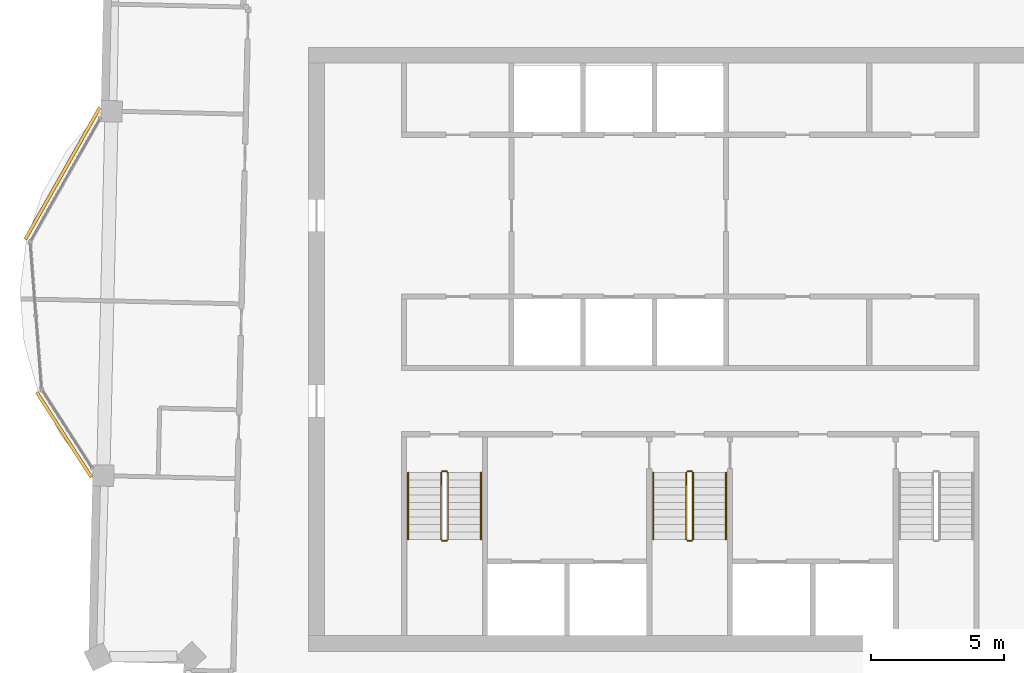
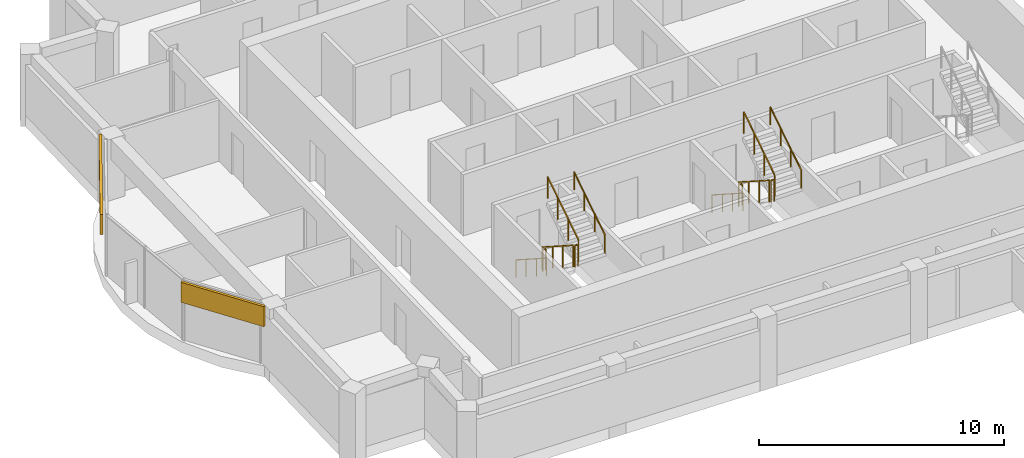
# One storey, part 11 of 12: 12 railings, 2 coverings.
"""IFC4 building model written with IfcOpenShell, lengths in metres."""

from ifc_helpers import new_model, si_unit, direction, frame, frame_2d, origin, origin_2d, place, context, subcontext, project, spatial, rectangle, circle, extrude, material, layer, layer_set, type_object, element, save


model = new_model("IFC4")

# Units and contexts
model_context = context("Model", 3, precision=1e-05, world=origin(), true_north=direction((0.0, 1.0)))
body_context = subcontext(model_context, "Body", "Model", "MODEL_VIEW")
ifc_project = project(units=[si_unit("LENGTHUNIT", "METRE"), si_unit("AREAUNIT", "SQUARE_METRE"), si_unit("VOLUMEUNIT", "CUBIC_METRE"), si_unit("PLANEANGLEUNIT", "RADIAN"), si_unit("MASSUNIT", "GRAM", prefix="KILO")], contexts=[model_context])

# Site, building, storey
site_placement = place(None, origin())
site = spatial("IfcSite", under=ifc_project, at=site_placement, CompositionType="ELEMENT")
building_placement = place(site_placement, origin())
building = spatial("IfcBuilding", under=site, at=building_placement, Name="Mangrove Gate Tower", CompositionType="ELEMENT")
storey_placement = place(building_placement, frame((0.0, 0.0, 350.699951171875)))
storey = spatial("IfcBuildingStorey", under=building, at=storey_placement, Name="L89", CompositionType="ELEMENT", Elevation=350.699951171875)

# Railings
ifc_material_1 = material(Name="Stainless steel 316", Category="steel")
railing_type_1 = type_object("IfcRailingType", Name="Core stair guard 1100", PredefinedType="GUARDRAIL", material=ifc_material_1)
railing_1_placement = place(storey_placement, frame((-9.39990234375, -4.64990234375, 0.179931640625)))
element("IfcRailing", 1, at=railing_1_placement, inside=storey, type_object=railing_type_1, Name="L89 ST1 stair guard 1", PredefinedType="GUARDRAIL", context=body_context, shape_type="SweptSolid", body=[
    extrude(rectangle(XDim=0.048095703125, YDim=0.048095703125, at=origin_2d()), frame((0.0, 0.0, 1.076171875), z_axis=(0.0, -0.841162588446, 0.540782303519), x_axis=(1.0, 0.0, 0.0)), (0.0, 0.0, 1.0), 2.995849609375),
    extrude(rectangle(XDim=0.0419921875, YDim=0.0419921875, at=origin_2d()), origin(), (0.0, 0.0, 1.0), 1.052001953125),
    extrude(rectangle(XDim=0.0419921875, YDim=0.0419921875, at=origin_2d()), frame((0.0, -0.840087890625, 0.5400390625)), (0.0, 0.0, 1.0), 1.052001953125),
    extrude(rectangle(XDim=0.0419921875, YDim=0.0419921875, at=origin_2d()), frame((0.0, -1.679931640625, 1.080078125)), (0.0, 0.0, 1.0), 1.052001953125),
    extrude(rectangle(XDim=0.0419921875, YDim=0.0419921875, at=origin_2d()), frame((0.0, -2.52001953125, 1.6201171875)), (0.0, 0.0, 1.0), 1.052001953125),
])
railing_2_placement = place(storey_placement, frame((-9.35009765625, -7.219970703125, 1.800048828125)))
element("IfcRailing", 2, at=railing_2_placement, inside=storey, type_object=railing_type_1, Name="L89 ST1 stair guard 2", PredefinedType="GUARDRAIL", context=body_context, shape_type="SweptSolid", body=[
    extrude(rectangle(XDim=0.048095703125, YDim=0.048095703125, at=origin_2d()), frame((0.0, 0.0, 1.076171875), z_axis=(1.0, 0.0, 0.0), x_axis=(0.0, 1.0, 0.0)), (0.0, 0.0, 1.0), 0.150146484375),
    extrude(rectangle(XDim=0.0419921875, YDim=0.0419921875, at=origin_2d()), origin(), (0.0, 0.0, 1.0), 1.052001953125),
    extrude(rectangle(XDim=0.0419921875, YDim=0.0419921875, at=origin_2d()), frame((0.150146484375, 0.0, 0.0)), (0.0, 0.0, 1.0), 1.052001953125),
])
railing_3_placement = place(storey_placement, frame((-9.14990234375, -7.169921875, 1.97998046875)))
element("IfcRailing", 3, at=railing_3_placement, inside=storey, type_object=railing_type_1, Name="L89 ST1 stair guard 3", PredefinedType="GUARDRAIL", context=body_context, shape_type="SweptSolid", body=[
    extrude(rectangle(XDim=0.048095703125, YDim=0.048095703125, at=origin_2d()), frame((0.0, 0.0, 1.076171875), z_axis=(0.0, 0.841162588446, 0.540782303519), x_axis=(-1.0, 0.0, 0.0)), (0.0, 0.0, 1.0), 2.995849609375),
    extrude(rectangle(XDim=0.0419921875, YDim=0.0419921875, at=origin_2d()), origin(), (0.0, 0.0, 1.0), 1.052001953125),
    extrude(rectangle(XDim=0.0419921875, YDim=0.0419921875, at=origin_2d()), frame((0.0, 0.840087890625, 0.5400390625)), (0.0, 0.0, 1.0), 1.052001953125),
    extrude(rectangle(XDim=0.0419921875, YDim=0.0419921875, at=origin_2d()), frame((0.0, 1.679931640625, 1.080078125)), (0.0, 0.0, 1.0), 1.052001953125),
    extrude(rectangle(XDim=0.0419921875, YDim=0.0419921875, at=origin_2d()), frame((0.0, 2.52001953125, 1.6201171875)), (0.0, 0.0, 1.0), 1.052001953125),
])
railing_4_placement = place(storey_placement, frame((-9.35009765625, -4.60009765625, 0.0)))
element("IfcRailing", 4, at=railing_4_placement, inside=storey, type_object=railing_type_1, Name="L89 ST1 stair guard 4", PredefinedType="GUARDRAIL", context=body_context, shape_type="SweptSolid", body=[
    extrude(rectangle(XDim=0.048095703125, YDim=0.048095703125, at=origin_2d()), frame((0.0, 0.0, 1.076171875), z_axis=(1.0, 0.0, 0.0), x_axis=(0.0, 1.0, 0.0)), (0.0, 0.0, 1.0), 0.150146484375),
    extrude(rectangle(XDim=0.0419921875, YDim=0.0419921875, at=origin_2d()), origin(), (0.0, 0.0, 1.0), 1.052001953125),
    extrude(rectangle(XDim=0.0419921875, YDim=0.0419921875, at=origin_2d()), frame((0.150146484375, 0.0, 0.0)), (0.0, 0.0, 1.0), 1.052001953125),
])
railing_5_placement = place(storey_placement, frame((-0.14990234375, -4.64990234375, 0.179931640625)))
element("IfcRailing", 5, at=railing_5_placement, inside=storey, type_object=railing_type_1, Name="L89 ST2 stair guard 1", PredefinedType="GUARDRAIL", context=body_context, shape_type="SweptSolid", body=[
    extrude(rectangle(XDim=0.048095703125, YDim=0.048095703125, at=origin_2d()), frame((0.0, 0.0, 1.076171875), z_axis=(0.0, -0.841162588446, 0.540782303519), x_axis=(1.0, 0.0, 0.0)), (0.0, 0.0, 1.0), 2.995849609375),
    extrude(rectangle(XDim=0.0419921875, YDim=0.0419921875, at=origin_2d()), origin(), (0.0, 0.0, 1.0), 1.052001953125),
    extrude(rectangle(XDim=0.0419921875, YDim=0.0419921875, at=origin_2d()), frame((0.0, -0.840087890625, 0.5400390625)), (0.0, 0.0, 1.0), 1.052001953125),
    extrude(rectangle(XDim=0.0419921875, YDim=0.0419921875, at=origin_2d()), frame((0.0, -1.679931640625, 1.080078125)), (0.0, 0.0, 1.0), 1.052001953125),
    extrude(rectangle(XDim=0.0419921875, YDim=0.0419921875, at=origin_2d()), frame((0.0, -2.52001953125, 1.6201171875)), (0.0, 0.0, 1.0), 1.052001953125),
])
railing_6_placement = place(storey_placement, frame((-0.10009765625, -7.219970703125, 1.800048828125)))
element("IfcRailing", 6, at=railing_6_placement, inside=storey, type_object=railing_type_1, Name="L89 ST2 stair guard 2", PredefinedType="GUARDRAIL", context=body_context, shape_type="SweptSolid", body=[
    extrude(rectangle(XDim=0.048095703125, YDim=0.048095703125, at=origin_2d()), frame((0.0, 0.0, 1.076171875), z_axis=(1.0, 0.0, 0.0), x_axis=(0.0, 1.0, 0.0)), (0.0, 0.0, 1.0), 0.150146484375),
    extrude(rectangle(XDim=0.0419921875, YDim=0.0419921875, at=origin_2d()), origin(), (0.0, 0.0, 1.0), 1.052001953125),
    extrude(rectangle(XDim=0.0419921875, YDim=0.0419921875, at=origin_2d()), frame((0.150146484375, 0.0, 0.0)), (0.0, 0.0, 1.0), 1.052001953125),
])
railing_7_placement = place(storey_placement, frame((0.10009765625, -7.169921875, 1.97998046875)))
element("IfcRailing", 7, at=railing_7_placement, inside=storey, type_object=railing_type_1, Name="L89 ST2 stair guard 3", PredefinedType="GUARDRAIL", context=body_context, shape_type="SweptSolid", body=[
    extrude(rectangle(XDim=0.048095703125, YDim=0.048095703125, at=origin_2d()), frame((0.0, 0.0, 1.076171875), z_axis=(0.0, 0.841162588446, 0.540782303519), x_axis=(-1.0, 0.0, 0.0)), (0.0, 0.0, 1.0), 2.995849609375),
    extrude(rectangle(XDim=0.0419921875, YDim=0.0419921875, at=origin_2d()), origin(), (0.0, 0.0, 1.0), 1.052001953125),
    extrude(rectangle(XDim=0.0419921875, YDim=0.0419921875, at=origin_2d()), frame((0.0, 0.840087890625, 0.5400390625)), (0.0, 0.0, 1.0), 1.052001953125),
    extrude(rectangle(XDim=0.0419921875, YDim=0.0419921875, at=origin_2d()), frame((0.0, 1.679931640625, 1.080078125)), (0.0, 0.0, 1.0), 1.052001953125),
    extrude(rectangle(XDim=0.0419921875, YDim=0.0419921875, at=origin_2d()), frame((0.0, 2.52001953125, 1.6201171875)), (0.0, 0.0, 1.0), 1.052001953125),
])
railing_8_placement = place(storey_placement, frame((-0.10009765625, -4.60009765625, 0.0)))
element("IfcRailing", 8, at=railing_8_placement, inside=storey, type_object=railing_type_1, Name="L89 ST2 stair guard 4", PredefinedType="GUARDRAIL", context=body_context, shape_type="SweptSolid", body=[
    extrude(rectangle(XDim=0.048095703125, YDim=0.048095703125, at=origin_2d()), frame((0.0, 0.0, 1.076171875), z_axis=(1.0, 0.0, 0.0), x_axis=(0.0, 1.0, 0.0)), (0.0, 0.0, 1.0), 0.150146484375),
    extrude(rectangle(XDim=0.0419921875, YDim=0.0419921875, at=origin_2d()), origin(), (0.0, 0.0, 1.0), 1.052001953125),
    extrude(rectangle(XDim=0.0419921875, YDim=0.0419921875, at=origin_2d()), frame((0.150146484375, 0.0, 0.0)), (0.0, 0.0, 1.0), 1.052001953125),
])
ifc_material_2 = material(Name="Stainless steel 316", Category="steel")
railing_type_2 = type_object("IfcRailingType", Name="Core stair handrail 900", PredefinedType="HANDRAIL", material=ifc_material_2)
railing_9_placement = place(storey_placement, frame((-10.64990234375, -4.64990234375, 0.179931640625)))
element("IfcRailing", 9, at=railing_9_placement, inside=storey, type_object=railing_type_2, Name="L89 ST1 stair handrail 1", PredefinedType="HANDRAIL", context=body_context, shape_type="SweptSolid", body=[
    extrude(circle(Radius=0.02392578125, at=origin_2d()), frame((0.0, 0.0, 0.8759765625), z_axis=(0.0, -0.841162588446, 0.540782303519), x_axis=(1.0, 0.0, 0.0)), (0.0, 0.0, 1.0), 2.995849609375),
    extrude(circle(Radius=0.02099609375, at=origin_2d()), origin(), (0.0, 0.0, 1.0), 0.851806640625),
    extrude(circle(Radius=0.02099609375, at=origin_2d()), frame((0.0, -0.840087890625, 0.5400390625)), (0.0, 0.0, 1.0), 0.851806640625),
    extrude(circle(Radius=0.02099609375, at=origin_2d()), frame((0.0, -1.679931640625, 1.080078125)), (0.0, 0.0, 1.0), 0.851806640625),
    extrude(circle(Radius=0.02099609375, at=origin_2d()), frame((0.0, -2.52001953125, 1.6201171875)), (0.0, 0.0, 1.0), 0.851806640625),
])
railing_10_placement = place(storey_placement, frame((-7.89990234375, -7.169921875, 1.97998046875)))
element("IfcRailing", 10, at=railing_10_placement, inside=storey, type_object=railing_type_2, Name="L89 ST1 stair handrail 2", PredefinedType="HANDRAIL", context=body_context, shape_type="SweptSolid", body=[
    extrude(circle(Radius=0.02392578125, at=origin_2d()), frame((0.0, 0.0, 0.8759765625), z_axis=(0.0, 0.841162588446, 0.540782303519), x_axis=(-1.0, 0.0, 0.0)), (0.0, 0.0, 1.0), 2.995849609375),
    extrude(circle(Radius=0.02099609375, at=origin_2d()), origin(), (0.0, 0.0, 1.0), 0.851806640625),
    extrude(circle(Radius=0.02099609375, at=origin_2d()), frame((0.0, 0.840087890625, 0.5400390625)), (0.0, 0.0, 1.0), 0.851806640625),
    extrude(circle(Radius=0.02099609375, at=origin_2d()), frame((0.0, 1.679931640625, 1.080078125)), (0.0, 0.0, 1.0), 0.851806640625),
    extrude(circle(Radius=0.02099609375, at=origin_2d()), frame((0.0, 2.52001953125, 1.6201171875)), (0.0, 0.0, 1.0), 0.851806640625),
])
railing_11_placement = place(storey_placement, frame((-1.39990234375, -4.64990234375, 0.179931640625)))
element("IfcRailing", 11, at=railing_11_placement, inside=storey, type_object=railing_type_2, Name="L89 ST2 stair handrail 1", PredefinedType="HANDRAIL", context=body_context, shape_type="SweptSolid", body=[
    extrude(circle(Radius=0.02392578125, at=origin_2d()), frame((0.0, 0.0, 0.8759765625), z_axis=(0.0, -0.841162588446, 0.540782303519), x_axis=(1.0, 0.0, 0.0)), (0.0, 0.0, 1.0), 2.995849609375),
    extrude(circle(Radius=0.02099609375, at=origin_2d()), origin(), (0.0, 0.0, 1.0), 0.851806640625),
    extrude(circle(Radius=0.02099609375, at=origin_2d()), frame((0.0, -0.840087890625, 0.5400390625)), (0.0, 0.0, 1.0), 0.851806640625),
    extrude(circle(Radius=0.02099609375, at=origin_2d()), frame((0.0, -1.679931640625, 1.080078125)), (0.0, 0.0, 1.0), 0.851806640625),
    extrude(circle(Radius=0.02099609375, at=origin_2d()), frame((0.0, -2.52001953125, 1.6201171875)), (0.0, 0.0, 1.0), 0.851806640625),
])
railing_12_placement = place(storey_placement, frame((1.35009765625, -7.169921875, 1.97998046875)))
element("IfcRailing", 12, at=railing_12_placement, inside=storey, type_object=railing_type_2, Name="L89 ST2 stair handrail 2", PredefinedType="HANDRAIL", context=body_context, shape_type="SweptSolid", body=[
    extrude(circle(Radius=0.02392578125, at=origin_2d()), frame((0.0, 0.0, 0.8759765625), z_axis=(0.0, 0.841162588446, 0.540782303519), x_axis=(-1.0, 0.0, 0.0)), (0.0, 0.0, 1.0), 2.995849609375),
    extrude(circle(Radius=0.02099609375, at=origin_2d()), origin(), (0.0, 0.0, 1.0), 0.851806640625),
    extrude(circle(Radius=0.02099609375, at=origin_2d()), frame((0.0, 0.840087890625, 0.5400390625)), (0.0, 0.0, 1.0), 0.851806640625),
    extrude(circle(Radius=0.02099609375, at=origin_2d()), frame((0.0, 1.679931640625, 1.080078125)), (0.0, 0.0, 1.0), 0.851806640625),
    extrude(circle(Radius=0.02099609375, at=origin_2d()), frame((0.0, 2.52001953125, 1.6201171875)), (0.0, 0.0, 1.0), 0.851806640625),
])

# Coverings
ifc_material_3 = material(Name="Limestone", Category="masonry")
ifc_layer_1 = layer(ifc_material_3, 0.0400390625, Name="Limestone cladding")
ifc_material_4 = material(Name="Stainless steel anchors and cavity", Category="steel")
ifc_layer_2 = layer(ifc_material_4, 0.080078125, Name="Fixing cavity")
ifc_layer_set = layer_set([ifc_layer_1, ifc_layer_2], Name="Joint fascia cladding 120")
covering_type = type_object("IfcCoveringType", Name="Joint fascia cladding 120", PredefinedType="CLADDING", material=ifc_layer_set)
covering_1_placement = place(storey_placement, frame((-22.286376953125, 9.12158203125, 2.050048828125), z_axis=(0.0, 0.0, 1.0), x_axis=(-0.492447789411, -0.870341987212, 0.0)))
element("IfcCovering", 13, at=covering_1_placement, inside=storey, type_object=covering_type, Name="STONE FASCIA L89 W9.L1", PredefinedType="CLADDING", context=body_context, shape_type="SweptSolid", body=[
    extrude(rectangle(XDim=5.705322265625, YDim=0.1201171875, at=frame_2d((2.8525390625, 0.0))), origin(), (0.0, 0.0, 1.0), 1.0),
])
covering_2_placement = place(storey_placement, frame((-24.660888671875, -1.617919921875, 2.050048828125), z_axis=(0.0, 0.0, 1.0), x_axis=(0.540573367362, -0.841296876554, 0.0)))
element("IfcCovering", 14, at=covering_2_placement, inside=storey, type_object=covering_type, Name="STONE FASCIA L89 W9.L2", PredefinedType="CLADDING", context=body_context, shape_type="SweptSolid", body=[
    extrude(rectangle(XDim=3.818115234375, YDim=0.1201171875, at=frame_2d((1.9091796875, 0.0))), origin(), (0.0, 0.0, 1.0), 1.0),
])

save(model, "model.ifc")
